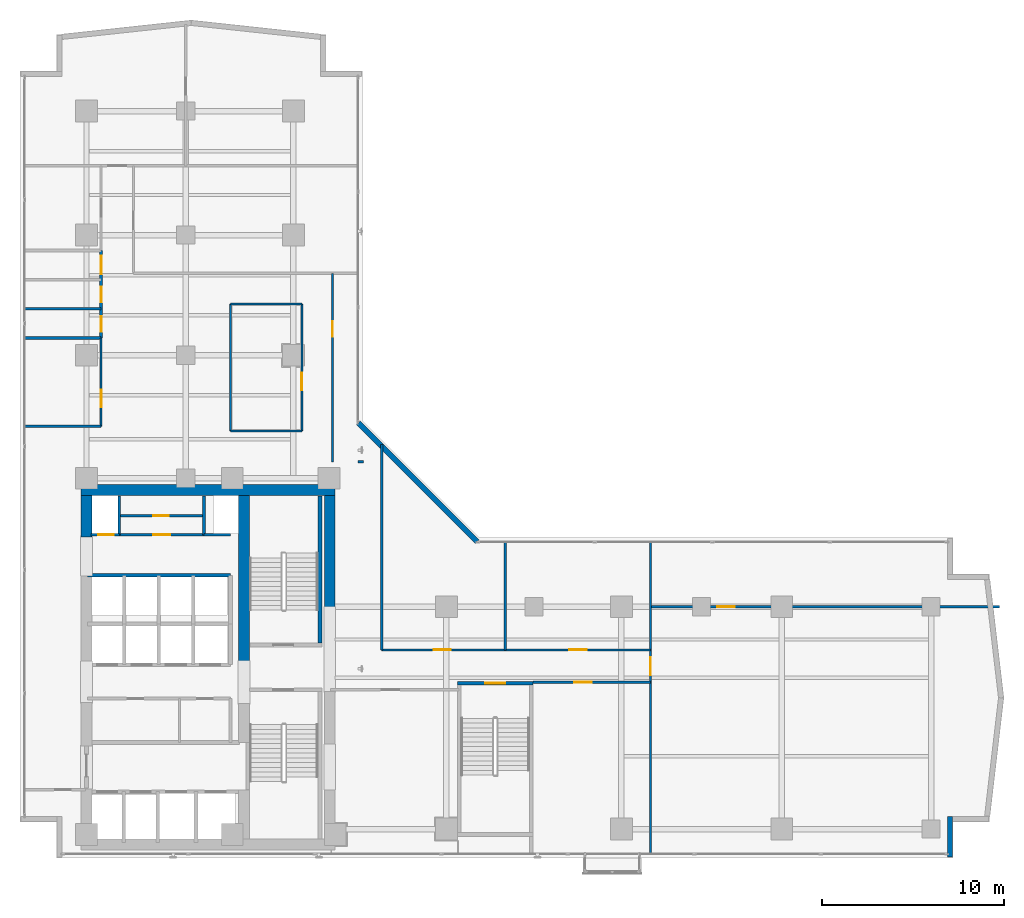
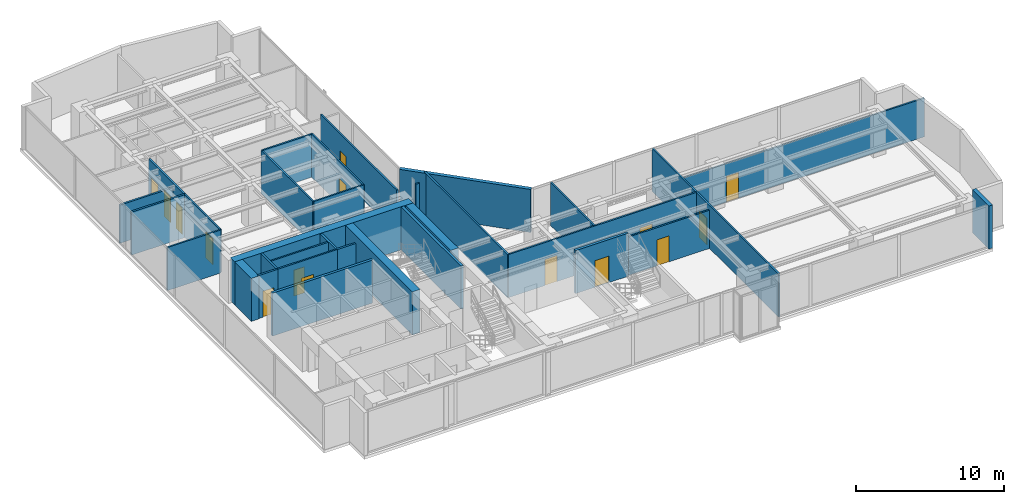
# One storey, part 21 of 27: 32 walls, 15 doors, 15 openings.
"""IFC4 building model written with IfcOpenShell, lengths in metres."""

from ifc_helpers import new_model, si_unit, direction, frame, frame_2d, origin, place, context, subcontext, project, spatial, rectangle, extrude, material, layer, layer_set, type_object, element, fill, save


model = new_model("IFC4")

# Units and contexts
model_context = context("Model", 3, precision=1e-05, world=origin(), true_north=direction((0.0, 1.0)))
body_context = subcontext(model_context, "Body", "Model", "MODEL_VIEW")
ifc_project = project(units=[si_unit("LENGTHUNIT", "METRE"), si_unit("AREAUNIT", "SQUARE_METRE"), si_unit("VOLUMEUNIT", "CUBIC_METRE"), si_unit("PLANEANGLEUNIT", "RADIAN"), si_unit("MASSUNIT", "GRAM", prefix="KILO")], contexts=[model_context])

# Site, building, storey
site_placement = place(None, origin())
site = spatial("IfcSite", under=ifc_project, at=site_placement, CompositionType="ELEMENT")
building_placement = place(site_placement, origin())
building = spatial("IfcBuilding", under=site, at=building_placement, Name="Kolvaren Waterfront Exchange", CompositionType="ELEMENT")
storey_placement = place(building_placement, frame((0.0, 0.0, 176.60009765625)))
storey = spatial("IfcBuildingStorey", under=building, at=storey_placement, Name="L45", CompositionType="ELEMENT", Elevation=176.60009765625)

# Walls
ifc_material_1 = material(Name="Precast concrete C40/50", Category="concrete")
ifc_layer_1 = layer(ifc_material_1, 0.280029296875, Name="Precast concrete C40/50")
ifc_layer_set_1 = layer_set([ifc_layer_1], Name="Precast concrete C40/50")
wall_type_1 = type_object("IfcWallType", Name="ARC-EXT-TERR-280", PredefinedType="SOLIDWALL", material=ifc_layer_set_1)
wall_1_placement = place(storey_placement, frame((54.840087890625, 3.659912109375, 0.0), z_axis=(0.0, 0.0, 1.0), x_axis=(0.0, 1.0, 0.0)))
element("IfcWall", 1, at=wall_1_placement, inside=storey, type_object=wall_type_1, Name="L45 notched corner spandrel pier SE-A", PredefinedType="SOLIDWALL", context=body_context, shape_type="SweptSolid", body=[
    extrude(rectangle(XDim=2.239990234375, YDim=0.280029296875, at=frame_2d((1.1201171875, 0.0))), origin(), (0.0, 0.0, 1.0), 3.559814453125),
])
wall_2_placement = place(storey_placement, frame((28.885009765625, 20.97509765625, 0.0), z_axis=(0.0, 0.0, 1.0), x_axis=(-0.707106781187, 0.707106781187, 0.0)))
element("IfcWall", 2, at=wall_2_placement, inside=storey, type_object=wall_type_1, Name="L45 notched corner spandrel pier ELBOW", PredefinedType="SOLIDWALL", context=body_context, shape_type="SweptSolid", body=[
    extrude(rectangle(XDim=9.20654296875, YDim=0.280029296875, at=frame_2d((4.603271484375, 0.0))), origin(), (0.0, 0.0, 1.0), 3.559814453125),
])

# Wall, opening, door
ifc_material_2 = material(Name="Acoustic gypsum steel stud", Category="steel")
ifc_layer_2 = layer(ifc_material_2, 0.125, Name="Acoustic gypsum steel stud")
ifc_layer_set_2 = layer_set([ifc_layer_2], Name="Acoustic gypsum steel stud")
wall_type_2 = type_object("IfcWallType", Name="ARC-PART-125", PredefinedType="PARTITIONING", material=ifc_layer_set_2)
wall_3_placement = place(storey_placement, frame((9.25, 21.35009765625, 0.0), z_axis=(0.0, 0.0, 1.0), x_axis=(1.0, 0.0, 0.0)))
wall_3 = element("IfcWall", 3, at=wall_3_placement, inside=storey, type_object=wall_type_2, Name="L45 interior wall PW-L45-SVC-EX-S", PredefinedType="PARTITIONING", context=body_context, shape_type="SweptSolid", body=[
    extrude(rectangle(XDim=4.64990234375, YDim=0.125, at=frame_2d((2.324951171875, 0.0))), origin(), (0.0, 0.0, 1.0), 3.559814453125),
])
opening_1_placement = place(wall_3_placement, frame((1.85009765625, 0.0, 0.0)))
opening_1 = element("IfcOpeningElement", 4, at=opening_1_placement, cuts=wall_3, Name="Opening D02", PredefinedType="OPENING", context=body_context, shape_type="SweptSolid", body=[
    extrude(rectangle(XDim=0.949951171875, YDim=2.14990234375, at=frame_2d((0.47509765625, 1.074951171875))), frame((0.0, 0.072509765625, 0.0), z_axis=(0.0, -1.0, 0.0), x_axis=(1.0, 0.0, 0.0)), (0.0, 0.0, 1.0), 0.14501953125),
])
ifc_material_3 = material(Name="Oak veneer acoustic timber", Category="wood")
door_type_1 = type_object("IfcDoorType", Name="ARC-DR-950", OperationType="NOTDEFINED", PredefinedType="DOOR", material=ifc_material_3)
door_1_placement = place(opening_1_placement, origin())
door_1 = element("IfcDoor", 5, at=door_1_placement, inside=storey, type_object=door_type_1, Name="L45 door DR-L45-SVC-DR-1 (D02)", OperationType="SINGLE_SWING_LEFT", OverallHeight=2.14990234375, OverallWidth=0.949951171875, PredefinedType="DOOR", context=body_context, shape_type="SweptSolid", body=[
    extrude(rectangle(XDim=0.949951171875, YDim=2.14990234375, at=frame_2d((0.47509765625, 1.074951171875))), frame((0.0, 0.02490234375, 0.0), z_axis=(0.0, -1.0, 0.0), x_axis=(1.0, 0.0, 0.0)), (0.0, 0.0, 1.0), 0.050048828125),
])
fill(opening_1, door_1)

wall_4_placement = place(storey_placement, frame((9.25, 22.39990234375, 0.0), z_axis=(0.0, 0.0, 1.0), x_axis=(1.0, 0.0, 0.0)))
wall_4 = element("IfcWall", 6, at=wall_4_placement, inside=storey, type_object=wall_type_2, Name="L45 interior wall PW-L45-SVC-EX-HS", PredefinedType="PARTITIONING", context=body_context, shape_type="SweptSolid", body=[
    extrude(rectangle(XDim=4.64990234375, YDim=0.125, at=frame_2d((2.324951171875, 0.0))), origin(), (0.0, 0.0, 1.0), 3.559814453125),
])
opening_2_placement = place(wall_4_placement, frame((1.875, 0.0, 0.0)))
opening_2 = element("IfcOpeningElement", 7, at=opening_2_placement, cuts=wall_4, Name="Opening D01", PredefinedType="OPENING", context=body_context, shape_type="SweptSolid", body=[
    extrude(rectangle(XDim=0.85009765625, YDim=2.14990234375, at=frame_2d((0.425048828125, 1.074951171875))), frame((0.0, 0.072509765625, 0.0), z_axis=(0.0, -1.0, 0.0), x_axis=(1.0, 0.0, 0.0)), (0.0, 0.0, 1.0), 0.14501953125),
])
ifc_material_4 = material(Name="Oak veneer timber leaf", Category="wood")
door_type_2 = type_object("IfcDoorType", Name="ARC-DR-900", OperationType="NOTDEFINED", PredefinedType="DOOR", material=ifc_material_4)
door_2_placement = place(opening_2_placement, origin())
door_2 = element("IfcDoor", 8, at=door_2_placement, inside=storey, type_object=door_type_2, Name="L45 door DR-L45-SVC-DR-2 (D01)", OperationType="SINGLE_SWING_RIGHT", OverallHeight=2.14990234375, OverallWidth=0.85009765625, PredefinedType="DOOR", context=body_context, shape_type="SweptSolid", body=[
    extrude(rectangle(XDim=0.85009765625, YDim=2.14990234375, at=frame_2d((0.425048828125, 1.074951171875))), frame((0.0, 0.02490234375, 0.0), z_axis=(0.0, -1.0, 0.0), x_axis=(1.0, 0.0, 0.0)), (0.0, 0.0, 1.0), 0.050048828125),
])
fill(opening_2, door_2)

# Walls
for number, where, z_axis, x_axis, name in (
    (9, (15.35009765625, 27.050048828125, 0.0), (0.0, 0.0, 1.0), (1.0, 0.0, 0.0), "L45 interior wall PW-L45-ISL-S"),
    (10, (15.35009765625, 34.02001953125, 0.0), (0.0, 0.0, 1.0), (1.0, 0.0, 0.0), "L45 interior wall PW-L45-ISL-N"),
):
    element("IfcWall", number, at=place(storey_placement, frame(where, z_axis=z_axis, x_axis=x_axis)), inside=storey, type_object=wall_type_2, Name=name, PredefinedType="PARTITIONING", context=body_context, shape_type="SweptSolid", body=[
        extrude(rectangle(XDim=3.919921875, YDim=0.125, at=frame_2d((1.9599609375, 0.0))), origin(), (0.0, 0.0, 1.0), 3.559814453125),
    ])
wall_5_placement = place(storey_placement, frame((15.35009765625, 27.050048828125, 0.0), z_axis=(0.0, 0.0, 1.0), x_axis=(0.0, 1.0, 0.0)))
element("IfcWall", 11, at=wall_5_placement, inside=storey, type_object=wall_type_2, Name="L45 interior wall PW-L45-ISL-W", PredefinedType="PARTITIONING", context=body_context, shape_type="SweptSolid", body=[
    extrude(rectangle(XDim=6.969970703125, YDim=0.125, at=frame_2d((3.48486328125, 0.0))), origin(), (0.0, 0.0, 1.0), 3.559814453125),
])

# Wall, opening, door
wall_6_placement = place(storey_placement, frame((19.27001953125, 27.050048828125, 0.0), z_axis=(0.0, 0.0, 1.0), x_axis=(0.0, 1.0, 0.0)))
wall_6 = element("IfcWall", 12, at=wall_6_placement, inside=storey, type_object=wall_type_2, Name="L45 interior wall PW-L45-ISL-E", PredefinedType="PARTITIONING", context=body_context, shape_type="SweptSolid", body=[
    extrude(rectangle(XDim=6.969970703125, YDim=0.125, at=frame_2d((3.48486328125, 0.0))), origin(), (0.0, 0.0, 1.0), 3.559814453125),
])
opening_3_placement = place(wall_6_placement, frame((2.23681640625, 0.0, 0.0)))
opening_3 = element("IfcOpeningElement", 13, at=opening_3_placement, cuts=wall_6, Name="Opening D02", PredefinedType="OPENING", context=body_context, shape_type="SweptSolid", body=[
    extrude(rectangle(XDim=0.949951171875, YDim=2.14990234375, at=frame_2d((0.47509765625, 1.074951171875))), frame((0.0, 0.072509765625, 0.0), z_axis=(0.0, -1.0, 0.0), x_axis=(1.0, 0.0, 0.0)), (0.0, 0.0, 1.0), 0.14501953125),
])
door_3_placement = place(opening_3_placement, origin())
door_3 = element("IfcDoor", 14, at=door_3_placement, inside=storey, type_object=door_type_1, Name="L45 door DR-L45-ISL-D (D02)", OperationType="SINGLE_SWING_LEFT", OverallHeight=2.14990234375, OverallWidth=0.949951171875, PredefinedType="DOOR", context=body_context, shape_type="SweptSolid", body=[
    extrude(rectangle(XDim=0.949951171875, YDim=2.14990234375, at=frame_2d((0.47509765625, 1.074951171875))), frame((0.0, 0.02490234375, 0.0), z_axis=(0.0, -1.0, 0.0), x_axis=(1.0, 0.0, 0.0)), (0.0, 0.0, 1.0), 0.050048828125),
])
fill(opening_3, door_3)

wall_7_placement = place(storey_placement, frame((8.25, 27.300048828125, 0.0), z_axis=(0.0, 0.0, 1.0), x_axis=(0.0, 1.0, 0.0)))
wall_7 = element("IfcWall", 15, at=wall_7_placement, inside=storey, type_object=wall_type_2, Name="L45 interior wall PW-L45-PREWC-E", PredefinedType="PARTITIONING", context=body_context, shape_type="SweptSolid", body=[
    extrude(rectangle(XDim=4.849853515625, YDim=0.125, at=frame_2d((2.4248046875, 0.0))), origin(), (0.0, 0.0, 1.0), 3.559814453125),
])
opening_4_placement = place(wall_7_placement, frame((1.050048828125, 0.0, 0.0)))
opening_4 = element("IfcOpeningElement", 16, at=opening_4_placement, cuts=wall_7, Name="Opening D02", PredefinedType="OPENING", context=body_context, shape_type="SweptSolid", body=[
    extrude(rectangle(XDim=0.949951171875, YDim=2.14990234375, at=frame_2d((0.47509765625, 1.074951171875))), frame((0.0, 0.072509765625, 0.0), z_axis=(0.0, -1.0, 0.0), x_axis=(1.0, 0.0, 0.0)), (0.0, 0.0, 1.0), 0.14501953125),
])
door_4_placement = place(opening_4_placement, origin())
door_4 = element("IfcDoor", 17, at=door_4_placement, inside=storey, type_object=door_type_1, Name="L45 door DR-L45-PREWC-D (D02)", OperationType="SINGLE_SWING_RIGHT", OverallHeight=2.14990234375, OverallWidth=0.949951171875, PredefinedType="DOOR", context=body_context, shape_type="SweptSolid", body=[
    extrude(rectangle(XDim=0.949951171875, YDim=2.14990234375, at=frame_2d((0.47509765625, 1.074951171875))), frame((0.0, 0.02490234375, 0.0), z_axis=(0.0, -1.0, 0.0), x_axis=(1.0, 0.0, 0.0)), (0.0, 0.0, 1.0), 0.050048828125),
])
fill(opening_4, door_4)

# Wall
wall_8_placement = place(storey_placement, frame((4.0400390625, 27.300048828125, 0.0), z_axis=(0.0, 0.0, 1.0), x_axis=(1.0, 0.0, 0.0)))
element("IfcWall", 18, at=wall_8_placement, inside=storey, type_object=wall_type_2, Name="L45 interior wall PW-L45-PREWC-S", PredefinedType="PARTITIONING", context=body_context, shape_type="SweptSolid", body=[
    extrude(rectangle(XDim=4.2099609375, YDim=0.125, at=frame_2d((2.10498046875, 0.0))), origin(), (0.0, 0.0, 1.0), 3.559814453125),
])

# Wall, opening, door
wall_9_placement = place(storey_placement, frame((20.949951171875, 25.35009765625, 0.0), z_axis=(0.0, 0.0, 1.0), x_axis=(0.0, 1.0, 0.0)))
wall_9 = element("IfcWall", 19, at=wall_9_placement, inside=storey, type_object=wall_type_2, Name="L45 interior wall PW-L45-RFLANK-W", PredefinedType="PARTITIONING", context=body_context, shape_type="SweptSolid", body=[
    extrude(rectangle(XDim=10.349853515625, YDim=0.125, at=frame_2d((5.1748046875, 0.0))), origin(), (0.0, 0.0, 1.0), 3.559814453125),
])
opening_5_placement = place(wall_9_placement, frame((6.859375, 0.0, 0.0)))
opening_5 = element("IfcOpeningElement", 20, at=opening_5_placement, cuts=wall_9, Name="Opening D01", PredefinedType="OPENING", context=body_context, shape_type="SweptSolid", body=[
    extrude(rectangle(XDim=0.85009765625, YDim=2.14990234375, at=frame_2d((0.425048828125, 1.074951171875))), frame((0.0, 0.072509765625, 0.0), z_axis=(0.0, -1.0, 0.0), x_axis=(1.0, 0.0, 0.0)), (0.0, 0.0, 1.0), 0.14501953125),
])
door_5_placement = place(opening_5_placement, origin())
door_5 = element("IfcDoor", 21, at=door_5_placement, inside=storey, type_object=door_type_2, Name="L45 door DR-L45-RFLANK-D (D01)", OperationType="SINGLE_SWING_RIGHT", OverallHeight=2.14990234375, OverallWidth=0.85009765625, PredefinedType="DOOR", context=body_context, shape_type="SweptSolid", body=[
    extrude(rectangle(XDim=0.85009765625, YDim=2.14990234375, at=frame_2d((0.425048828125, 1.074951171875))), frame((0.0, 0.02490234375, 0.0), z_axis=(0.0, -1.0, 0.0), x_axis=(1.0, 0.0, 0.0)), (0.0, 0.0, 1.0), 0.050048828125),
])
fill(opening_5, door_5)

# Wall
wall_10_placement = place(storey_placement, frame((22.64990234375, 25.35009765625, 0.0), z_axis=(0.0, 0.0, 1.0), x_axis=(-1.0, 0.0, 0.0)))
element("IfcWall", 22, at=wall_10_placement, inside=storey, type_object=wall_type_2, Name="L45 interior wall PW-L45-RFLANK-S", PredefinedType="PARTITIONING", context=body_context, shape_type="SweptSolid", body=[
    extrude(rectangle(XDim=0.289794921875, YDim=0.125, at=frame_2d((0.14501953125, 0.0))), origin(), (0.0, 0.0, 1.0), 3.559814453125),
])

# Wall, opening, door
wall_11_placement = place(storey_placement, frame((31.949951171875, 13.25, 0.0), z_axis=(0.0, 0.0, 1.0), x_axis=(1.0, 0.0, 0.0)))
wall_11 = element("IfcWall", 23, at=wall_11_placement, inside=storey, type_object=wall_type_2, Name="L45 interior wall PW-L45-ES-CORR", PredefinedType="PARTITIONING", context=body_context, shape_type="SweptSolid", body=[
    extrude(rectangle(XDim=6.449951171875, YDim=0.125, at=frame_2d((3.22509765625, 0.0))), origin(), (0.0, 0.0, 1.0), 3.159912109375),
])
opening_6_placement = place(wall_11_placement, frame((2.27490234375, 0.0, 0.0)))
opening_6 = element("IfcOpeningElement", 24, at=opening_6_placement, cuts=wall_11, Name="Opening D02", PredefinedType="OPENING", context=body_context, shape_type="SweptSolid", body=[
    extrude(rectangle(XDim=0.949951171875, YDim=2.14990234375, at=frame_2d((0.47509765625, 1.074951171875))), frame((0.0, 0.072509765625, 0.0), z_axis=(0.0, -1.0, 0.0), x_axis=(1.0, 0.0, 0.0)), (0.0, 0.0, 1.0), 0.14501953125),
])
door_6_placement = place(opening_6_placement, origin())
door_6 = element("IfcDoor", 25, at=door_6_placement, inside=storey, type_object=door_type_1, Name="L45 door DR-L45-ES-D-1 (D02)", OperationType="SINGLE_SWING_LEFT", OverallHeight=2.14990234375, OverallWidth=0.949951171875, PredefinedType="DOOR", context=body_context, shape_type="SweptSolid", body=[
    extrude(rectangle(XDim=0.949951171875, YDim=2.14990234375, at=frame_2d((0.47509765625, 1.074951171875))), frame((0.0, 0.02490234375, 0.0), z_axis=(0.0, -1.0, 0.0), x_axis=(1.0, 0.0, 0.0)), (0.0, 0.0, 1.0), 0.050048828125),
])
fill(opening_6, door_6)

wall_12_placement = place(storey_placement, frame((38.39990234375, 3.840087890625, 0.0), z_axis=(0.0, 0.0, 1.0), x_axis=(0.0, 1.0, 0.0)))
wall_12 = element("IfcWall", 26, at=wall_12_placement, inside=storey, type_object=wall_type_2, Name="L45 interior wall PW-L45-ETIP-W", PredefinedType="PARTITIONING", context=body_context, shape_type="SweptSolid", body=[
    extrude(rectangle(XDim=17.119873046875, YDim=0.125, at=frame_2d((8.56005859375, 0.0))), origin(), (0.0, 0.0, 1.0), 3.559814453125),
])
opening_7_placement = place(wall_12_placement, frame((9.800048828125, 0.0, 0.0)))
opening_7 = element("IfcOpeningElement", 27, at=opening_7_placement, cuts=wall_12, Name="Opening D03", PredefinedType="OPENING", context=body_context, shape_type="SweptSolid", body=[
    extrude(rectangle(XDim=1.0, YDim=2.199951171875, at=frame_2d((0.5, 1.10009765625))), frame((0.0, 0.072509765625, 0.0), z_axis=(0.0, -1.0, 0.0), x_axis=(1.0, 0.0, 0.0)), (0.0, 0.0, 1.0), 0.14501953125),
])
ifc_material_5 = material(Name="Oak veneer accessible timber", Category="wood")
door_type_3 = type_object("IfcDoorType", Name="ARC-DR-1000", OperationType="NOTDEFINED", PredefinedType="DOOR", material=ifc_material_5)
door_7_placement = place(opening_7_placement, origin())
door_7 = element("IfcDoor", 28, at=door_7_placement, inside=storey, type_object=door_type_3, Name="L45 door DR-L45-ETIP1-D (D03)", OperationType="SINGLE_SWING_RIGHT", OverallHeight=2.199951171875, OverallWidth=1.0, PredefinedType="DOOR", context=body_context, shape_type="SweptSolid", body=[
    extrude(rectangle(XDim=1.0, YDim=2.199951171875, at=frame_2d((0.5, 1.10009765625))), frame((0.0, 0.02490234375, 0.0), z_axis=(0.0, -1.0, 0.0), x_axis=(1.0, 0.0, 0.0)), (0.0, 0.0, 1.0), 0.050048828125),
])
fill(opening_7, door_7)

wall_13_placement = place(storey_placement, frame((38.39990234375, 17.39990234375, 0.0), z_axis=(0.0, 0.0, 1.0), x_axis=(1.0, 0.0, 0.0)))
wall_13 = element("IfcWall", 29, at=wall_13_placement, inside=storey, type_object=wall_type_2, Name="L45 interior wall PW-L45-ETIP-MID", PredefinedType="PARTITIONING", context=body_context, shape_type="SweptSolid", body=[
    extrude(rectangle(XDim=19.16015625, YDim=0.125, at=frame_2d((9.580078125, 0.0))), origin(), (0.0, 0.0, 1.0), 3.199951171875),
])
opening_8_placement = place(wall_13_placement, frame((3.668701171875, 0.0, 0.0)))
opening_8 = element("IfcOpeningElement", 30, at=opening_8_placement, cuts=wall_13, Name="Opening D02", PredefinedType="OPENING", context=body_context, shape_type="SweptSolid", body=[
    extrude(rectangle(XDim=0.949951171875, YDim=2.14990234375, at=frame_2d((0.47509765625, 1.074951171875))), frame((0.0, 0.072509765625, 0.0), z_axis=(0.0, -1.0, 0.0), x_axis=(1.0, 0.0, 0.0)), (0.0, 0.0, 1.0), 0.14501953125),
])
door_8_placement = place(opening_8_placement, origin())
door_8 = element("IfcDoor", 31, at=door_8_placement, inside=storey, type_object=door_type_1, Name="L45 door DR-L45-ETIP2-D (D02)", OperationType="SINGLE_SWING_LEFT", OverallHeight=2.14990234375, OverallWidth=0.949951171875, PredefinedType="DOOR", context=body_context, shape_type="SweptSolid", body=[
    extrude(rectangle(XDim=0.949951171875, YDim=2.14990234375, at=frame_2d((0.47509765625, 1.074951171875))), frame((0.0, 0.02490234375, 0.0), z_axis=(0.0, -1.0, 0.0), x_axis=(1.0, 0.0, 0.0)), (0.0, 0.0, 1.0), 0.050048828125),
])
fill(opening_8, door_8)

# Wall
wall_14_placement = place(storey_placement, frame((23.64990234375, 15.030029296875, 0.0), z_axis=(0.0, 0.0, 1.0), x_axis=(0.0, 1.0, 0.0)))
element("IfcWall", 32, at=wall_14_placement, inside=storey, type_object=wall_type_2, Name="L45 interior wall PW-L45-EN-W0", PredefinedType="PARTITIONING", context=body_context, shape_type="SweptSolid", body=[
    extrude(rectangle(XDim=11.280029296875, YDim=0.125, at=frame_2d((5.64013671875, 0.0))), origin(), (0.0, 0.0, 1.0), 3.559814453125),
])

# Wall, openings, doors
wall_15_placement = place(storey_placement, frame((23.64990234375, 15.030029296875, 0.0), z_axis=(0.0, 0.0, 1.0), x_axis=(1.0, 0.0, 0.0)))
wall_15 = element("IfcWall", 33, at=wall_15_placement, inside=storey, type_object=wall_type_2, Name="L45 interior wall PW-L45-EN-CORR", PredefinedType="PARTITIONING", context=body_context, shape_type="SweptSolid", body=[
    extrude(rectangle(XDim=14.75, YDim=0.125, at=frame_2d((7.375, 0.0))), origin(), (0.0, 0.0, 1.0), 3.559814453125),
])
opening_9_placement = place(wall_15_placement, frame((2.843017578125, 0.0, 0.0)))
opening_9 = element("IfcOpeningElement", 34, at=opening_9_placement, cuts=wall_15, Name="Opening D02", PredefinedType="OPENING", context=body_context, shape_type="SweptSolid", body=[
    extrude(rectangle(XDim=0.949951171875, YDim=2.14990234375, at=frame_2d((0.47509765625, 1.074951171875))), frame((0.0, 0.072509765625, 0.0), z_axis=(0.0, -1.0, 0.0), x_axis=(1.0, 0.0, 0.0)), (0.0, 0.0, 1.0), 0.14501953125),
])
opening_10_placement = place(wall_15_placement, frame((10.2900390625, 0.0, 0.0)))
opening_10 = element("IfcOpeningElement", 35, at=opening_10_placement, cuts=wall_15, Name="Opening D02", PredefinedType="OPENING", context=body_context, shape_type="SweptSolid", body=[
    extrude(rectangle(XDim=0.949951171875, YDim=2.14990234375, at=frame_2d((0.47509765625, 1.074951171875))), frame((0.0, 0.072509765625, 0.0), z_axis=(0.0, -1.0, 0.0), x_axis=(1.0, 0.0, 0.0)), (0.0, 0.0, 1.0), 0.14501953125),
])
door_9_placement = place(opening_9_placement, origin())
door_9 = element("IfcDoor", 36, at=door_9_placement, inside=storey, type_object=door_type_1, Name="L45 door DR-L45-EN-D-1 (D02)", OperationType="SINGLE_SWING_RIGHT", OverallHeight=2.14990234375, OverallWidth=0.949951171875, PredefinedType="DOOR", context=body_context, shape_type="SweptSolid", body=[
    extrude(rectangle(XDim=0.949951171875, YDim=2.14990234375, at=frame_2d((0.47509765625, 1.074951171875))), frame((0.0, 0.02490234375, 0.0), z_axis=(0.0, -1.0, 0.0), x_axis=(1.0, 0.0, 0.0)), (0.0, 0.0, 1.0), 0.050048828125),
])
fill(opening_9, door_9)
door_10_placement = place(opening_10_placement, origin())
door_10 = element("IfcDoor", 37, at=door_10_placement, inside=storey, type_object=door_type_1, Name="L45 door DR-L45-EN-D-2 (D02)", OperationType="SINGLE_SWING_LEFT", OverallHeight=2.14990234375, OverallWidth=0.949951171875, PredefinedType="DOOR", context=body_context, shape_type="SweptSolid", body=[
    extrude(rectangle(XDim=0.949951171875, YDim=2.14990234375, at=frame_2d((0.47509765625, 1.074951171875))), frame((0.0, 0.02490234375, 0.0), z_axis=(0.0, -1.0, 0.0), x_axis=(1.0, 0.0, 0.0)), (0.0, 0.0, 1.0), 0.050048828125),
])
fill(opening_10, door_10)

# Walls
wall_16_placement = place(storey_placement, frame((30.429931640625, 15.030029296875, 0.0), z_axis=(0.0, 0.0, 1.0), x_axis=(0.0, 1.0, 0.0)))
element("IfcWall", 38, at=wall_16_placement, inside=storey, type_object=wall_type_2, Name="L45 interior wall PW-L45-EN-DIV-1", PredefinedType="PARTITIONING", context=body_context, shape_type="SweptSolid", body=[
    extrude(rectangle(XDim=5.929931640625, YDim=0.125, at=frame_2d((2.96484375, 0.0))), origin(), (0.0, 0.0, 1.0), 3.559814453125),
])
ifc_material_6 = material(Name="Gypsum fireboard steel stud", Category="steel")
ifc_layer_3 = layer(ifc_material_6, 0.14990234375, Name="Gypsum fireboard steel stud")
ifc_layer_set_3 = layer_set([ifc_layer_3], Name="Gypsum fireboard steel stud")
wall_type_3 = type_object("IfcWallType", Name="ARC-PART-150", PredefinedType="PARTITIONING", material=ifc_layer_set_3)
for number, where, z_axis, x_axis, name in (
    (39, (9.25, 21.35009765625, 0.0), (0.0, 0.0, 1.0), (0.0, 1.0, 0.0), "L45 interior wall PW-L45-SVC-R1"),
    (40, (13.89990234375, 21.35009765625, 0.0), (0.0, 0.0, 1.0), (0.0, 1.0, 0.0), "L45 interior wall PW-L45-SVC-R2"),
):
    element("IfcWall", number, at=place(storey_placement, frame(where, z_axis=z_axis, x_axis=x_axis)), inside=storey, type_object=wall_type_3, Name=name, PredefinedType="PARTITIONING", context=body_context, shape_type="SweptSolid", body=[
        extrude(rectangle(XDim=2.1298828125, YDim=0.14990234375, at=frame_2d((1.06494140625, 0.0))), origin(), (0.0, 0.0, 1.0), 3.559814453125),
    ])

# Wall, opening, door
wall_17_placement = place(storey_placement, frame((7.699951171875, 21.35009765625, 0.0), z_axis=(0.0, 0.0, 1.0), x_axis=(1.0, 0.0, 0.0)))
wall_17 = element("IfcWall", 41, at=wall_17_placement, inside=storey, type_object=wall_type_3, Name="L45 interior wall PW-L45-SVC-RE-S", PredefinedType="PARTITIONING", context=body_context, shape_type="SweptSolid", body=[
    extrude(rectangle(XDim=1.550048828125, YDim=0.14990234375, at=frame_2d((0.77490234375, 0.0))), origin(), (0.0, 0.0, 1.0), 3.559814453125),
])
opening_11_placement = place(wall_17_placement, frame((0.389892578125, 0.0, 0.0)))
opening_11 = element("IfcOpeningElement", 42, at=opening_11_placement, cuts=wall_17, Name="Opening FD1", PredefinedType="OPENING", context=body_context, shape_type="SweptSolid", body=[
    extrude(rectangle(XDim=0.85009765625, YDim=2.14990234375, at=frame_2d((0.425048828125, 1.074951171875))), frame((0.0, 0.0849609375, 0.0), z_axis=(0.0, -1.0, 0.0), x_axis=(1.0, 0.0, 0.0)), (0.0, 0.0, 1.0), 0.169921875),
])
ifc_material_7 = material(Name="Pressed steel fire leaf", Category="steel")
door_type_4 = type_object("IfcDoorType", Name="ARC-FD-900", OperationType="NOTDEFINED", PredefinedType="DOOR", material=ifc_material_7)
door_11_placement = place(opening_11_placement, origin())
door_11 = element("IfcDoor", 43, at=door_11_placement, inside=storey, type_object=door_type_4, Name="L45 door DR-L45-RISER-E-DR (FD1)", OperationType="SINGLE_SWING_RIGHT", OverallHeight=2.14990234375, OverallWidth=0.85009765625, PredefinedType="DOOR", context=body_context, shape_type="SweptSolid", body=[
    extrude(rectangle(XDim=0.85009765625, YDim=2.14990234375, at=frame_2d((0.425048828125, 1.074951171875))), frame((0.0, 0.02490234375, 0.0), z_axis=(0.0, -1.0, 0.0), x_axis=(1.0, 0.0, 0.0)), (0.0, 0.0, 1.0), 0.050048828125),
])
fill(opening_11, door_11)

# Walls
wall_18_placement = place(storey_placement, frame((13.89990234375, 21.35009765625, 0.0), z_axis=(0.0, 0.0, 1.0), x_axis=(1.0, 0.0, 0.0)))
element("IfcWall", 44, at=wall_18_placement, inside=storey, type_object=wall_type_3, Name="L45 interior wall PW-L45-SVC-RP-S", PredefinedType="PARTITIONING", context=body_context, shape_type="SweptSolid", body=[
    extrude(rectangle(XDim=1.4501953125, YDim=0.14990234375, at=frame_2d((0.72509765625, 0.0))), origin(), (0.0, 0.0, 1.0), 3.559814453125),
])
ifc_material_8 = material(Name="Moisture-resistant gypsum stud")
ifc_layer_4 = layer(ifc_material_8, 0.14990234375, Name="Moisture-resistant gypsum stud")
ifc_layer_set_4 = layer_set([ifc_layer_4], Name="Moisture-resistant gypsum stud")
wall_type_4 = type_object("IfcWallType", Name="ARC-PLUMB-150", PredefinedType="PLUMBINGWALL", material=ifc_layer_set_4)
wall_19_placement = place(storey_placement, frame((4.0400390625, 32.14990234375, 0.0), z_axis=(0.0, 0.0, 1.0), x_axis=(1.0, 0.0, 0.0)))
element("IfcWall", 45, at=wall_19_placement, inside=storey, type_object=wall_type_4, Name="L45 interior wall PW-L45-WC-0", PredefinedType="PLUMBINGWALL", context=body_context, shape_type="SweptSolid", body=[
    extrude(rectangle(XDim=4.2099609375, YDim=0.14990234375, at=frame_2d((2.10498046875, 0.0))), origin(), (0.0, 0.0, 1.0), 3.559814453125),
])

# Wall, openings, doors
wall_20_placement = place(storey_placement, frame((8.25, 32.14990234375, 0.0), z_axis=(0.0, 0.0, 1.0), x_axis=(0.0, 1.0, 0.0)))
wall_20 = element("IfcWall", 46, at=wall_20_placement, inside=storey, type_object=wall_type_4, Name="L45 interior wall PW-L45-WC-E", PredefinedType="PLUMBINGWALL", context=body_context, shape_type="SweptSolid", body=[
    extrude(rectangle(XDim=4.800048828125, YDim=0.14990234375, at=frame_2d((2.39990234375, 0.0))), origin(), (0.0, 0.0, 1.0), 3.559814453125),
])
opening_12_placement = place(wall_20_placement, frame((0.35009765625, 0.0, 0.0)))
opening_12 = element("IfcOpeningElement", 47, at=opening_12_placement, cuts=wall_20, Name="Opening D01", PredefinedType="OPENING", context=body_context, shape_type="SweptSolid", body=[
    extrude(rectangle(XDim=0.85009765625, YDim=2.14990234375, at=frame_2d((0.425048828125, 1.074951171875))), frame((0.0, 0.0849609375, 0.0), z_axis=(0.0, -1.0, 0.0), x_axis=(1.0, 0.0, 0.0)), (0.0, 0.0, 1.0), 0.169921875),
])
opening_13_placement = place(wall_20_placement, frame((1.949951171875, 0.0, 0.0)))
opening_13 = element("IfcOpeningElement", 48, at=opening_13_placement, cuts=wall_20, Name="Opening D01", PredefinedType="OPENING", context=body_context, shape_type="SweptSolid", body=[
    extrude(rectangle(XDim=0.85009765625, YDim=2.14990234375, at=frame_2d((0.425048828125, 1.074951171875))), frame((0.0, 0.0849609375, 0.0), z_axis=(0.0, -1.0, 0.0), x_axis=(1.0, 0.0, 0.0)), (0.0, 0.0, 1.0), 0.169921875),
])
opening_14_placement = place(wall_20_placement, frame((3.5, 0.0, 0.0)))
opening_14 = element("IfcOpeningElement", 49, at=opening_14_placement, cuts=wall_20, Name="Opening D03", PredefinedType="OPENING", context=body_context, shape_type="SweptSolid", body=[
    extrude(rectangle(XDim=1.0, YDim=2.199951171875, at=frame_2d((0.5, 1.10009765625))), frame((0.0, 0.0849609375, 0.0), z_axis=(0.0, -1.0, 0.0), x_axis=(1.0, 0.0, 0.0)), (0.0, 0.0, 1.0), 0.169921875),
])
door_12_placement = place(opening_14_placement, origin())
door_12 = element("IfcDoor", 50, at=door_12_placement, inside=storey, type_object=door_type_3, Name="L45 door DR-L45-WCA-D (D03)", OperationType="SINGLE_SWING_LEFT", OverallHeight=2.199951171875, OverallWidth=1.0, PredefinedType="DOOR", context=body_context, shape_type="SweptSolid", body=[
    extrude(rectangle(XDim=1.0, YDim=2.199951171875, at=frame_2d((0.5, 1.10009765625))), frame((0.0, 0.02490234375, 0.0), z_axis=(0.0, -1.0, 0.0), x_axis=(1.0, 0.0, 0.0)), (0.0, 0.0, 1.0), 0.050048828125),
])
fill(opening_14, door_12)
door_13_placement = place(opening_12_placement, origin())
door_13 = element("IfcDoor", 51, at=door_13_placement, inside=storey, type_object=door_type_2, Name="L45 door DR-L45-WCM-D (D01)", OperationType="SINGLE_SWING_LEFT", OverallHeight=2.14990234375, OverallWidth=0.85009765625, PredefinedType="DOOR", context=body_context, shape_type="SweptSolid", body=[
    extrude(rectangle(XDim=0.85009765625, YDim=2.14990234375, at=frame_2d((0.425048828125, 1.074951171875))), frame((0.0, 0.02490234375, 0.0), z_axis=(0.0, -1.0, 0.0), x_axis=(1.0, 0.0, 0.0)), (0.0, 0.0, 1.0), 0.050048828125),
])
fill(opening_12, door_13)
door_14_placement = place(opening_13_placement, origin())
door_14 = element("IfcDoor", 52, at=door_14_placement, inside=storey, type_object=door_type_2, Name="L45 door DR-L45-WCF-D (D01)", OperationType="SINGLE_SWING_RIGHT", OverallHeight=2.14990234375, OverallWidth=0.85009765625, PredefinedType="DOOR", context=body_context, shape_type="SweptSolid", body=[
    extrude(rectangle(XDim=0.85009765625, YDim=2.14990234375, at=frame_2d((0.425048828125, 1.074951171875))), frame((0.0, 0.02490234375, 0.0), z_axis=(0.0, -1.0, 0.0), x_axis=(1.0, 0.0, 0.0)), (0.0, 0.0, 1.0), 0.050048828125),
])
fill(opening_13, door_14)

# Walls
wall_21_placement = place(storey_placement, frame((4.0400390625, 33.75, 0.0), z_axis=(0.0, 0.0, 1.0), x_axis=(1.0, 0.0, 0.0)))
element("IfcWall", 53, at=wall_21_placement, inside=storey, type_object=wall_type_4, Name="L45 interior wall PW-L45-WC-1", PredefinedType="PLUMBINGWALL", context=body_context, shape_type="SweptSolid", body=[
    extrude(rectangle(XDim=4.2099609375, YDim=0.14990234375, at=frame_2d((2.10498046875, 0.0))), origin(), (0.0, 0.0, 1.0), 3.159912109375),
])
ifc_material_9 = material(Name="Concrete C40/50", Category="concrete")
ifc_layer_5 = layer(ifc_material_9, 0.199951171875, Name="Concrete C40/50")
ifc_layer_set_5 = layer_set([ifc_layer_5], Name="Concrete C40/50")
wall_type_5 = type_object("IfcWallType", Name="ARC-SHAFT-200", PredefinedType="PARTITIONING", material=ifc_layer_set_5)
wall_22_placement = place(storey_placement, frame((20.260009765625, 15.39990234375, 0.0), z_axis=(0.0, 0.0, 1.0), x_axis=(0.0, 1.0, 0.0)))
element("IfcWall", 54, at=wall_22_placement, inside=storey, type_object=wall_type_5, Name="L45 structural stairwell wall PW-L45-ST2-E", PredefinedType="SHEAR", context=body_context, shape_type="SweptSolid", body=[
    extrude(rectangle(XDim=8.090087890625, YDim=0.199951171875, at=frame_2d((4.044921875, 0.0))), origin(), (0.0, 0.0, 1.0), 3.559814453125),
])

# Wall, opening, door
wall_23_placement = place(storey_placement, frame((27.800048828125, 13.199951171875, 0.0), z_axis=(0.0, 0.0, 1.0), x_axis=(1.0, 0.0, 0.0)))
wall_23 = element("IfcWall", 55, at=wall_23_placement, inside=storey, type_object=wall_type_5, Name="L45 structural stairwell wall PW-L45-ST3-N", PredefinedType="SHEAR", context=body_context, shape_type="SweptSolid", body=[
    extrude(rectangle(XDim=4.159912109375, YDim=0.199951171875, at=frame_2d((2.080078125, 0.0))), origin(), (0.0, 0.0, 1.0), 3.559814453125),
])
opening_15_placement = place(wall_23_placement, frame((1.530029296875, 0.0, 0.0)))
opening_15 = element("IfcOpeningElement", 56, at=opening_15_placement, cuts=wall_23, Name="Opening FD2", PredefinedType="OPENING", context=body_context, shape_type="SweptSolid", body=[
    extrude(rectangle(XDim=1.10009765625, YDim=2.199951171875, at=frame_2d((0.550048828125, 1.10009765625))), frame((0.0, 0.10986328125, 0.0), z_axis=(0.0, -1.0, 0.0), x_axis=(1.0, 0.0, 0.0)), (0.0, 0.0, 1.0), 0.219970703125),
])
ifc_material_10 = material(Name="Pressed steel smoke-seal fire door", Category="steel")
door_type_5 = type_object("IfcDoorType", Name="ARC-FD-1100", OperationType="NOTDEFINED", PredefinedType="DOOR", material=ifc_material_10)
door_15_placement = place(opening_15_placement, frame((1.10009765625, 0.0, 0.0), z_axis=(0.0, 0.0, 1.0), x_axis=(-1.0, 0.0, 0.0)))
door_15 = element("IfcDoor", 57, at=door_15_placement, inside=storey, type_object=door_type_5, Name="L45 door DR-L45-ST3-IN (FD2)", OperationType="SINGLE_SWING_RIGHT", OverallHeight=2.199951171875, OverallWidth=1.10009765625, PredefinedType="DOOR", context=body_context, shape_type="SweptSolid", body=[
    extrude(rectangle(XDim=1.10009765625, YDim=2.199951171875, at=frame_2d((0.550048828125, 1.10009765625))), frame((0.0, 0.02490234375, 0.0), z_axis=(0.0, -1.0, 0.0), x_axis=(1.0, 0.0, 0.0)), (0.0, 0.0, 1.0), 0.050048828125),
])
fill(opening_15, door_15)

# Walls
wall_24_placement = place(storey_placement, frame((7.5, 19.1201171875, 0.0), z_axis=(0.0, 0.0, 1.0), x_axis=(1.0, 0.0, 0.0)))
element("IfcWall", 58, at=wall_24_placement, inside=storey, type_object=wall_type_5, Name="L45 interior wall PW-L45-PH-N", PredefinedType="PARTITIONING", context=body_context, shape_type="SweptSolid", body=[
    extrude(rectangle(XDim=7.85009765625, YDim=0.199951171875, at=frame_2d((3.925048828125, 0.0))), origin(), (0.0, 0.0, 1.0), 3.559814453125),
])
ifc_material_11 = material(Name="Concrete C60/75", Category="concrete")
ifc_layer_6 = layer(ifc_material_11, 0.60009765625, Name="Concrete C60/75")
ifc_layer_set_6 = layer_set([ifc_layer_6], Name="Concrete C60/75")
wall_type_6 = type_object("IfcWallType", Name="STR-CWALL-600", PredefinedType="SHEAR", material=ifc_layer_set_6)
wall_25_placement = place(storey_placement, frame((7.14990234375, 23.800048828125, 0.0), z_axis=(0.0, 0.0, 1.0), x_axis=(1.0, 0.0, 0.0)))
element("IfcWall", 59, at=wall_25_placement, inside=storey, type_object=wall_type_6, Name="L45 rear-core shear wall N", PredefinedType="SHEAR", context=body_context, shape_type="SweptSolid", body=[
    extrude(rectangle(XDim=13.9501953125, YDim=0.60009765625, at=frame_2d((6.97509765625, 0.0))), origin(), (0.0, 0.0, 1.0), 3.559814453125),
])
wall_26_placement = place(storey_placement, frame((7.449951171875, 21.239990234375, 0.0), z_axis=(0.0, 0.0, 1.0), x_axis=(0.0, 1.0, 0.0)))
element("IfcWall", 60, at=wall_26_placement, inside=storey, type_object=wall_type_6, Name="L45 rear-core shear wall W3", PredefinedType="SHEAR", context=body_context, shape_type="SweptSolid", body=[
    extrude(rectangle(XDim=2.260009765625, YDim=0.60009765625, at=frame_2d((1.1298828125, 0.0))), origin(), (0.0, 0.0, 1.0), 3.559814453125),
])
wall_27_placement = place(storey_placement, frame((20.800048828125, 17.35009765625, 0.0), z_axis=(0.0, 0.0, 1.0), x_axis=(0.0, 1.0, 0.0)))
element("IfcWall", 61, at=wall_27_placement, inside=storey, type_object=wall_type_6, Name="L45 rear-core shear wall E3", PredefinedType="SHEAR", context=body_context, shape_type="SweptSolid", body=[
    extrude(rectangle(XDim=6.14990234375, YDim=0.60009765625, at=frame_2d((3.074951171875, 0.0))), origin(), (0.0, 0.0, 1.0), 3.559814453125),
])
wall_28_placement = place(storey_placement, frame((16.10009765625, 14.39990234375, 0.0), z_axis=(0.0, 0.0, 1.0), x_axis=(0.0, 1.0, 0.0)))
element("IfcWall", 62, at=wall_28_placement, inside=storey, type_object=wall_type_6, Name="L45 rear-core shear wall M3", PredefinedType="SHEAR", context=body_context, shape_type="SweptSolid", body=[
    extrude(rectangle(XDim=9.10009765625, YDim=0.60009765625, at=frame_2d((4.550048828125, 0.0))), origin(), (0.0, 0.0, 1.0), 3.559814453125),
])

save(model, "model.ifc")
